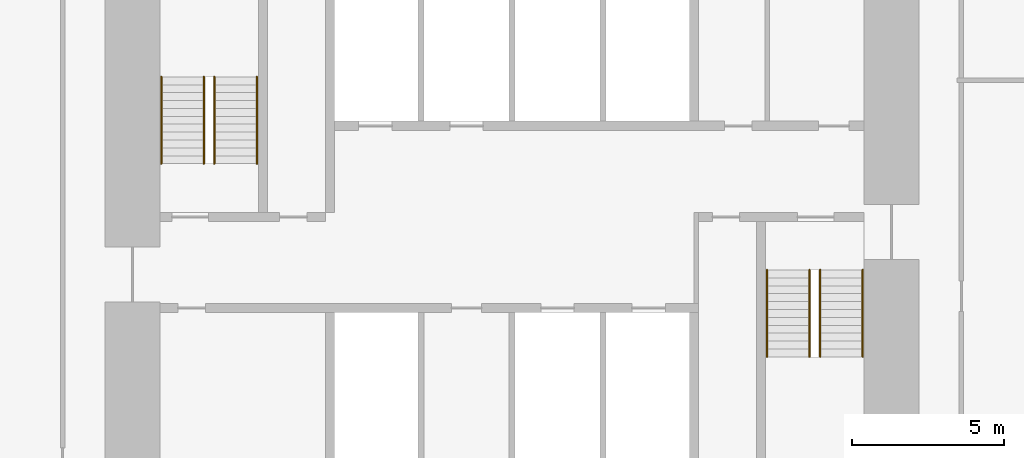
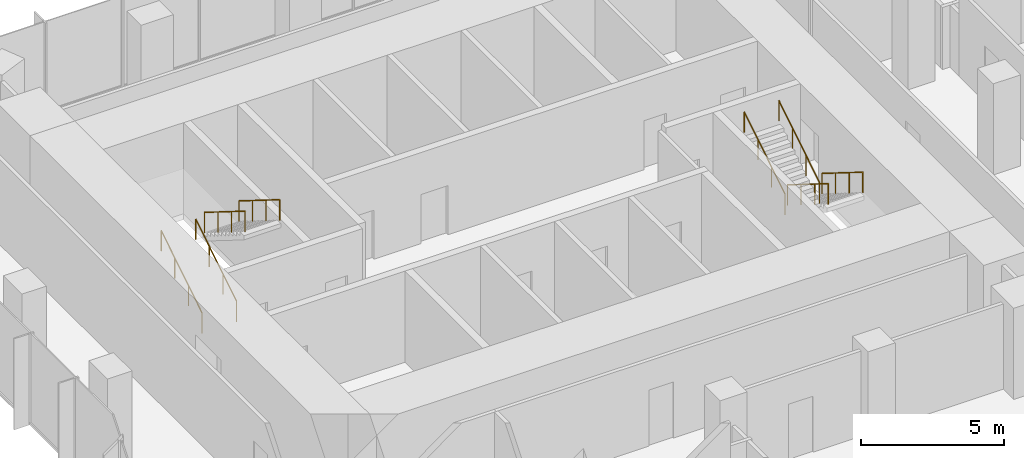
# One storey, part 11 of 11: 8 railings.
"""IFC4 building model written with IfcOpenShell, lengths in metres."""

from ifc_helpers import new_model, si_unit, direction, frame, origin, origin_2d, place, context, subcontext, project, spatial, circle, extrude, material, type_object, element, save


model = new_model("IFC4")

# Units and contexts
model_context = context("Model", 3, precision=1e-05, world=origin(), true_north=direction((0.0, 1.0)))
body_context = subcontext(model_context, "Body", "Model", "MODEL_VIEW")
ifc_project = project(units=[si_unit("LENGTHUNIT", "METRE"), si_unit("AREAUNIT", "SQUARE_METRE"), si_unit("VOLUMEUNIT", "CUBIC_METRE"), si_unit("PLANEANGLEUNIT", "RADIAN"), si_unit("MASSUNIT", "GRAM", prefix="KILO")], contexts=[model_context])

# Site, building, storey
site_placement = place(None, origin())
site = spatial("IfcSite", under=ifc_project, at=site_placement, CompositionType="ELEMENT")
building_placement = place(site_placement, origin())
building = spatial("IfcBuilding", under=site, at=building_placement, Name="Highveld Stack Headquarters", CompositionType="ELEMENT")
storey_placement = place(building_placement, frame((0.0, 0.0, 287.89990234375)))
storey = spatial("IfcBuildingStorey", under=building, at=storey_placement, Name="L71", CompositionType="ELEMENT", Elevation=287.89990234375)

# Railings
ifc_material = material(Name="Stainless steel handrail", Category="steel")
railing_type = type_object("IfcRailingType", Name="STAIR HANDRAIL HR1 900", PredefinedType="HANDRAIL", material=ifc_material)
for number, where, name in (
    (1, (-5.550048828125, 4.75, 0.16259765625), "Handrail S1 L71 flight 1"),
    (2, (-4.14990234375, 4.75, 0.16259765625), "Handrail S1 L71 flight 1"),
):
    element("IfcRailing", number, at=place(storey_placement, frame(where)), inside=storey, type_object=railing_type, Name=name, PredefinedType="HANDRAIL", context=body_context, shape_type="SweptSolid", body=[
        extrude(circle(Radius=0.02392578125, at=origin_2d()), frame((0.0, 0.0, 0.8759765625), z_axis=(0.0, 0.847994237388, 0.530005446535), x_axis=(-1.0, 0.0, 0.0)), (0.0, 0.0, 1.0), 3.372802734375),
        extrude(circle(Radius=0.02099609375, at=origin_2d()), origin(), (0.0, 0.0, 1.0), 0.851806640625),
        extrude(circle(Radius=0.02099609375, at=origin_2d()), frame((0.0, 0.953369140625, 0.595947265625)), (0.0, 0.0, 1.0), 0.851806640625),
        extrude(circle(Radius=0.02099609375, at=origin_2d()), frame((0.0, 1.90673828125, 1.191650390625)), (0.0, 0.0, 1.0), 0.851806640625),
        extrude(circle(Radius=0.02099609375, at=origin_2d()), frame((0.0, 2.860107421875, 1.78759765625)), (0.0, 0.0, 1.0), 0.851806640625),
    ])
for number, where, name in (
    (3, (-3.800048828125, 7.610107421875, 2.112548828125), "Handrail S1 L71 flight 2"),
    (4, (-2.39990234375, 7.610107421875, 2.112548828125), "Handrail S1 L71 flight 2"),
    (5, (16.14990234375, 1.25, 0.16259765625), "Handrail S2 L71 flight 1"),
    (6, (17.550048828125, 1.25, 0.16259765625), "Handrail S2 L71 flight 1"),
):
    element("IfcRailing", number, at=place(storey_placement, frame(where)), inside=storey, type_object=railing_type, Name=name, PredefinedType="HANDRAIL", context=body_context, shape_type="SweptSolid", body=[
        extrude(circle(Radius=0.02392578125, at=origin_2d()), frame((0.0, 0.0, 0.8759765625), z_axis=(0.0, -0.847994237388, 0.530005446535), x_axis=(1.0, 0.0, 0.0)), (0.0, 0.0, 1.0), 3.372802734375),
        extrude(circle(Radius=0.02099609375, at=origin_2d()), origin(), (0.0, 0.0, 1.0), 0.851806640625),
        extrude(circle(Radius=0.02099609375, at=origin_2d()), frame((0.0, -0.953369140625, 0.595947265625)), (0.0, 0.0, 1.0), 0.851806640625),
        extrude(circle(Radius=0.02099609375, at=origin_2d()), frame((0.0, -1.90673828125, 1.191650390625)), (0.0, 0.0, 1.0), 0.851806640625),
        extrude(circle(Radius=0.02099609375, at=origin_2d()), frame((0.0, -2.860107421875, 1.78759765625)), (0.0, 0.0, 1.0), 0.851806640625),
    ])
for number, where, name in (
    (7, (14.39990234375, -1.610107421875, 2.112548828125), "Handrail S2 L71 flight 2"),
    (8, (15.800048828125, -1.610107421875, 2.112548828125), "Handrail S2 L71 flight 2"),
):
    element("IfcRailing", number, at=place(storey_placement, frame(where)), inside=storey, type_object=railing_type, Name=name, PredefinedType="HANDRAIL", context=body_context, shape_type="SweptSolid", body=[
        extrude(circle(Radius=0.02392578125, at=origin_2d()), frame((0.0, 0.0, 0.8759765625), z_axis=(0.0, 0.847994237388, 0.530005446535), x_axis=(-1.0, 0.0, 0.0)), (0.0, 0.0, 1.0), 3.372802734375),
        extrude(circle(Radius=0.02099609375, at=origin_2d()), origin(), (0.0, 0.0, 1.0), 0.851806640625),
        extrude(circle(Radius=0.02099609375, at=origin_2d()), frame((0.0, 0.953369140625, 0.595947265625)), (0.0, 0.0, 1.0), 0.851806640625),
        extrude(circle(Radius=0.02099609375, at=origin_2d()), frame((0.0, 1.90673828125, 1.191650390625)), (0.0, 0.0, 1.0), 0.851806640625),
        extrude(circle(Radius=0.02099609375, at=origin_2d()), frame((0.0, 2.860107421875, 1.78759765625)), (0.0, 0.0, 1.0), 0.851806640625),
    ])

save(model, "model.ifc")
